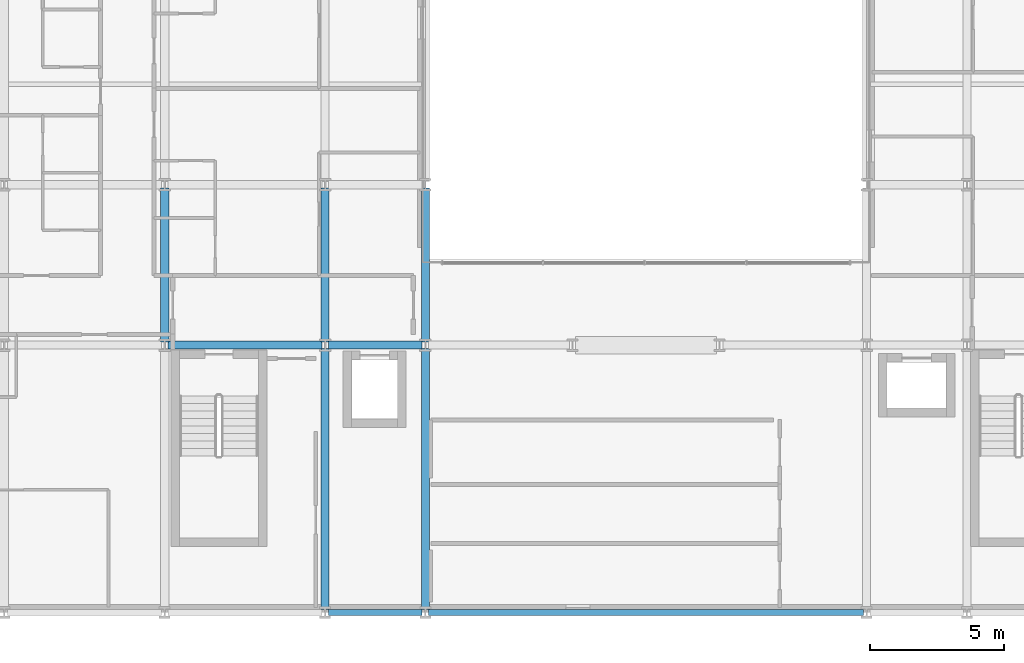
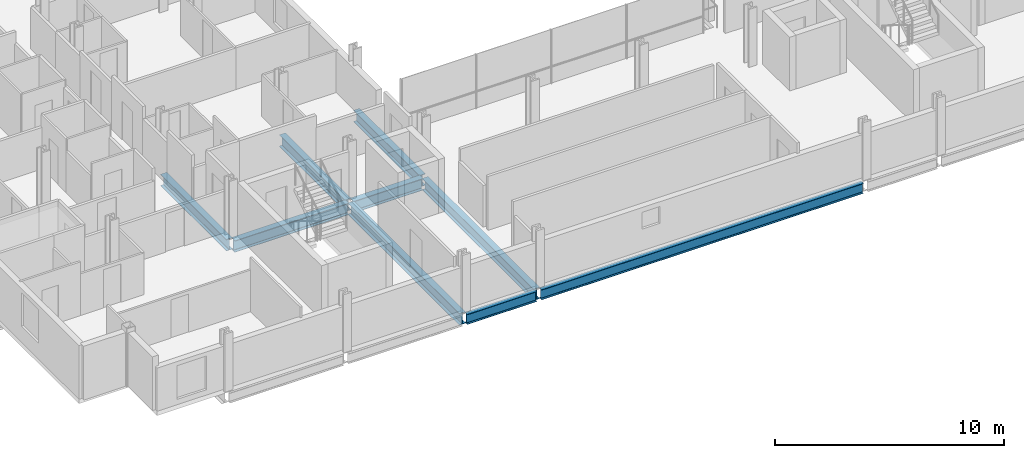
# One storey, part 3 of 39: 9 beams.
"""IFC4 building model written with IfcOpenShell, lengths in metres."""

import ifcopenshell
import ifcopenshell.guid

model = None  # the IFC model being written
_history = None  # IfcOwnerHistory: only IFC2X3 demands one
_inside = {}  # id of a spatial element -> (the spatial element, [elements in it])
_under = {}  # id of a project, library or spatial element -> (it, [spatial elements below it])
_declared = {}  # id of a project -> (the project, [libraries it declares])
_typed = {}  # id of a type object -> (the type object, [elements of that type])
_made_of = {}  # id of a material, layer set ... -> (it, [elements and type objects made of it])


def new_model(schema):
    """Start an empty IFC model of exactly this schema.

    Asked for "IFC4X3", IfcOpenShell would pick the latest addendum, in which some entities
    have other attributes; the version numbers below select the first issue.
    IFC2X3 requires an IfcOwnerHistory on every rooted entity: one is made here for all.
    """
    global model, _history
    if schema == "IFC4X3":
        model = ifcopenshell.file(schema_version=(4, 3, 0, 0))
    else:
        model = ifcopenshell.file(schema=schema)
    _inside.clear()
    _under.clear()
    _declared.clear()
    _typed.clear()
    _made_of.clear()
    _history = None
    if model.schema == "IFC2X3":
        org = make("IfcOrganization", Name="unknown")
        user = make(
            "IfcPersonAndOrganization",
            ThePerson=make("IfcPerson", FamilyName="unknown"),
            TheOrganization=org,
        )
        app = make(
            "IfcApplication",
            ApplicationDeveloper=org,
            Version="unknown",
            ApplicationFullName="unknown",
            ApplicationIdentifier="unknown",
        )
        _history = make(
            "IfcOwnerHistory",
            OwningUser=user,
            OwningApplication=app,
            ChangeAction="ADDED",
            CreationDate=0,
        )
    return model


def make(cls, **values):
    """One entity of the class cls with the attributes given. An attribute that is None is left unset."""
    return model.create_entity(
        cls, **{name: value for name, value in values.items() if value is not None}
    )


def rooted(cls, **values):
    """An entity with a GlobalId (a new one), such as an element, a storey or a relation."""
    return make(cls, GlobalId=ifcopenshell.guid.new(), OwnerHistory=_history, **values)


def si_unit(unit_type, name, prefix=None):
    """IfcSIUnit, for example si_unit("LENGTHUNIT", "METRE", prefix="MILLI")."""
    return make("IfcSIUnit", UnitType=unit_type, Prefix=prefix, Name=name)


def assignment(units):
    """IfcUnitAssignment: the units of a project."""
    return None if units is None else make("IfcUnitAssignment", Units=units)


def point(xyz):
    """IfcCartesianPoint."""
    return None if xyz is None else make("IfcCartesianPoint", Coordinates=xyz)


def direction(xyz):
    """IfcDirection."""
    return None if xyz is None else make("IfcDirection", DirectionRatios=xyz)


def frame(location, z_axis=None, x_axis=None):
    """IfcAxis2Placement3D, a coordinate frame: its origin and axes. An axis left out is left unset."""
    return make(
        "IfcAxis2Placement3D",
        Location=point(location),
        Axis=direction(z_axis),
        RefDirection=direction(x_axis),
    )


def frame_2d(location, x_axis=None):
    """IfcAxis2Placement2D, a coordinate frame in the plane: its origin and x axis."""
    return make(
        "IfcAxis2Placement2D", Location=point(location), RefDirection=direction(x_axis)
    )


def origin():
    """The frame at (0, 0, 0) with its axes left unset."""
    return frame((0.0, 0.0, 0.0))


def origin_2d():
    """The frame at (0, 0) in the plane with its x axis left unset."""
    return frame_2d((0.0, 0.0))


def place(relative_to, where):
    """IfcLocalPlacement: puts the frame where relative to a parent placement (None: the world)."""
    return make(
        "IfcLocalPlacement", PlacementRelTo=relative_to, RelativePlacement=where
    )


def context(
    kind, dimensions, precision=None, world=None, true_north=None, identifier=None
):
    """IfcGeometricRepresentationContext, for example the 3D "Model" context."""
    return make(
        "IfcGeometricRepresentationContext",
        ContextIdentifier=identifier,
        ContextType=kind,
        CoordinateSpaceDimension=dimensions,
        Precision=precision,
        WorldCoordinateSystem=world,
        TrueNorth=true_north,
    )


def subcontext(parent, identifier, kind, view, scale=None):
    """IfcGeometricRepresentationSubContext, for example "Body" below "Model"."""
    return make(
        "IfcGeometricRepresentationSubContext",
        ContextIdentifier=identifier,
        ContextType=kind,
        ParentContext=parent,
        TargetScale=scale,
        TargetView=view,
    )


def project(units=None, contexts=None):
    """IfcProject with its units and contexts."""
    return rooted(
        "IfcProject",
        Name="project",
        RepresentationContexts=contexts,
        UnitsInContext=assignment(units),
    )


def spatial(cls, under=None, at=None, **own):
    """A site, building, storey or space (cls), placed at a placement, below another one or the project."""
    s = rooted(cls, ObjectPlacement=at, **own)
    if under is not None:
        _under.setdefault(under.id(), (under, []))[1].append(s)
    return s


def profile(cls, at=None, kind="AREA", **sizes):
    """A parametric profile (cls). Its sizes go by their IFC names, for example OverallWidth=200.0."""
    return make(cls, ProfileType=kind, Position=at, **sizes)


def i_section(**sizes):
    """IfcIShapeProfileDef."""
    return profile("IfcIShapeProfileDef", **sizes)


def extrude(swept, where, along, depth):
    """IfcExtrudedAreaSolid: the profile swept, set in the frame where, extruded along a direction by depth."""
    return make(
        "IfcExtrudedAreaSolid",
        SweptArea=swept,
        Position=where,
        ExtrudedDirection=direction(along),
        Depth=depth,
    )


def shape(context_of_items, identifier, shape_type, items):
    """IfcShapeRepresentation: the items that make up one representation, for example the "Body"."""
    return make(
        "IfcShapeRepresentation",
        ContextOfItems=context_of_items,
        RepresentationIdentifier=identifier,
        RepresentationType=shape_type,
        Items=items,
    )


def material(Name=None, Category=None):
    """IfcMaterial."""
    return make("IfcMaterial", Name=Name, Category=Category)


def material_profile(
    of_material, cross_section, Name=None, Category=None, Priority=None
):
    """IfcMaterialProfile: a cross section and its material."""
    return make(
        "IfcMaterialProfile",
        Name=Name,
        Material=of_material,
        Profile=cross_section,
        Priority=Priority,
        Category=Category,
    )


def profile_set(profiles, Name=None, composite=None):
    """IfcMaterialProfileSet."""
    return make(
        "IfcMaterialProfileSet",
        Name=Name,
        MaterialProfiles=profiles,
        CompositeProfile=composite,
    )


def made_of(thing, what):
    """Note that an element or type object is made of a material, layer set ...; save() writes the relation."""
    if what is not None:
        _made_of.setdefault(what.id(), (what, []))[1].append(thing)
    return thing


def type_object(cls, material=None, **own):
    """A type object (cls), such as IfcWallType, which elements share."""
    return made_of(rooted(cls, **own), material)


def element(
    cls,
    number,
    at=None,
    inside=None,
    cuts=None,
    type_object=None,
    material=None,
    context=None,
    identifier="Body",
    shape_type=None,
    held_by="IfcProductDefinitionShape",
    body=None,
    shapes=None,
    **own,
):
    """One element of the class cls, such as IfcWall. Its Tag is "e" and its number.

    at: its placement. inside: the storey or other place that contains it. cuts: it is an
    opening in that element (IfcRelVoidsElement). A single representation is given by context,
    identifier, shape_type and body (its items); several are given by shapes. held_by: the class
    of the entity that holds the representations. save() writes the other relations.
    """
    e = rooted(cls, Tag="e%d" % number, ObjectPlacement=at, **own)
    if body is not None:
        shapes = [shape(context, identifier, shape_type, body)]
    if shapes is not None:
        e.Representation = make(held_by, Representations=shapes)
    if inside is not None:
        _inside.setdefault(inside.id(), (inside, []))[1].append(e)
    if cuts is not None:
        rooted(
            "IfcRelVoidsElement", RelatingBuildingElement=cuts, RelatedOpeningElement=e
        )
    if type_object is not None:
        _typed.setdefault(type_object.id(), (type_object, []))[1].append(e)
    return made_of(e, material)


def aggregate(whole, parts):
    """IfcRelAggregates: a whole, such as a stair, and the parts it consists of."""
    return rooted("IfcRelAggregates", RelatingObject=whole, RelatedObjects=parts)


def save(model, path):
    """Write the relations noted so far, then the file.

    IfcRelAggregates (storeys below a building ...), IfcRelContainedInSpatialStructure (elements
    in a storey), IfcRelDefinesByType, IfcRelAssociatesMaterial and IfcRelDeclares: one each for
    every whole, place, type object, material and project.
    """
    for whole, parts in _under.values():
        aggregate(whole, parts)
    for where, things in _inside.values():
        rooted(
            "IfcRelContainedInSpatialStructure",
            RelatedElements=things,
            RelatingStructure=where,
        )
    for kind, things in _typed.values():
        rooted("IfcRelDefinesByType", RelatedObjects=things, RelatingType=kind)
    for what, things in _made_of.values():
        rooted("IfcRelAssociatesMaterial", RelatedObjects=things, RelatingMaterial=what)
    for by, libraries in _declared.values():
        rooted("IfcRelDeclares", RelatingContext=by, RelatedDefinitions=libraries)
    model.write(path)


model = new_model("IFC4")

# Units and contexts
model_context = context("Model", 3, precision=1e-05, world=origin(), true_north=direction((0.0, 1.0)))
body_context = subcontext(model_context, "Body", "Model", "MODEL_VIEW")
ifc_project = project(units=[si_unit("LENGTHUNIT", "METRE"), si_unit("AREAUNIT", "SQUARE_METRE"), si_unit("VOLUMEUNIT", "CUBIC_METRE"), si_unit("PLANEANGLEUNIT", "RADIAN"), si_unit("MASSUNIT", "GRAM", prefix="KILO")], contexts=[model_context])

# Site, building, storey
site_placement = place(None, origin())
site = spatial("IfcSite", under=ifc_project, at=site_placement, CompositionType="ELEMENT")
building_placement = place(site_placement, origin())
building = spatial("IfcBuilding", under=site, at=building_placement, Name="Brevholm Reach", CompositionType="ELEMENT")
storey_placement = place(building_placement, frame((0.0, 0.0, 34.199951171875)))
storey = spatial("IfcBuildingStorey", under=building, at=storey_placement, Name="L08", CompositionType="ELEMENT", Elevation=34.199951171875)

# Beams
ifc_material_1 = material(Name="Structural Steel S355J2", Category="steel")
ifc_material_profile_1 = material_profile(ifc_material_1, i_section(OverallWidth=0.210693359375, OverallDepth=0.53955078125, WebThickness=0.01171875, FlangeThickness=0.018798828125, FilletRadius=0.0126953125, at=origin_2d()), Name="UKB 533x210x109")
ifc_profile_set_1 = profile_set([ifc_material_profile_1], Name="Structural Steel S355J2")
beam_type_1 = type_object("IfcBeamType", Name="BM-SP539", PredefinedType="SPANDREL", material=ifc_profile_set_1)
beam_1_placement = place(storey_placement, frame((18.1201171875, 0.0, -0.499755859375), z_axis=(1.0, 0.0, 0.0), x_axis=(0.0, 1.0, 0.0)))
element("IfcBeam", 1, at=beam_1_placement, inside=storey, type_object=beam_type_1, Name="L08 SP-01B Framing Beam", PredefinedType="SPANDREL", context=body_context, shape_type="SweptSolid", body=[
    extrude(i_section(OverallWidth=0.210693359375, OverallDepth=0.53955078125, WebThickness=0.01171875, FlangeThickness=0.018798828125, FilletRadius=0.0126953125, at=origin_2d()), origin(), (0.0, 0.0, 1.0), 3.509765625),
])
beam_2_placement = place(storey_placement, frame((21.8701171875, 0.0, -0.499755859375), z_axis=(1.0, 0.0, 0.0), x_axis=(0.0, 1.0, 0.0)))
element("IfcBeam", 2, at=beam_2_placement, inside=storey, type_object=beam_type_1, Name="L08 SP-01B Framing Beam", PredefinedType="SPANDREL", context=body_context, shape_type="SweptSolid", body=[
    extrude(i_section(OverallWidth=0.210693359375, OverallDepth=0.53955078125, WebThickness=0.01171875, FlangeThickness=0.018798828125, FilletRadius=0.0126953125, at=origin_2d()), origin(), (0.0, 0.0, 1.0), 16.259765625),
])
ifc_material_2 = material(Name="Structural Steel S355J2", Category="steel")
ifc_material_profile_2 = material_profile(ifc_material_2, i_section(OverallWidth=0.30712890625, OverallDepth=0.6201171875, WebThickness=0.01416015625, FlangeThickness=0.023681640625, FilletRadius=0.0166015625, at=origin_2d()), Name="UKB 610x305x179")
ifc_profile_set_2 = profile_set([ifc_material_profile_2], Name="Structural Steel S355J2")
beam_type_2 = type_object("IfcBeamType", Name="BM-UKB610H", PredefinedType="USERDEFINED", material=ifc_profile_set_2)
beam_3_placement = place(storey_placement, frame((12.1201171875, 10.0, -0.5400390625), z_axis=(1.0, 0.0, 0.0), x_axis=(0.0, 1.0, 0.0)))
element("IfcBeam", 3, at=beam_3_placement, inside=storey, type_object=beam_type_2, Name="L08 G-06 Framing Beam", ObjectType="GIRDER", PredefinedType="USERDEFINED", context=body_context, shape_type="SweptSolid", body=[
    extrude(i_section(OverallWidth=0.30712890625, OverallDepth=0.6201171875, WebThickness=0.01416015625, FlangeThickness=0.023681640625, FilletRadius=0.0166015625, at=origin_2d()), origin(), (0.0, 0.0, 1.0), 5.759765625),
])
beam_4_placement = place(storey_placement, frame((18.1201171875, 10.0, -0.5400390625), z_axis=(1.0, 0.0, 0.0), x_axis=(0.0, 1.0, 0.0)))
element("IfcBeam", 4, at=beam_4_placement, inside=storey, type_object=beam_type_2, Name="L08 G-06 Framing Beam", ObjectType="GIRDER", PredefinedType="USERDEFINED", context=body_context, shape_type="SweptSolid", body=[
    extrude(i_section(OverallWidth=0.30712890625, OverallDepth=0.6201171875, WebThickness=0.01416015625, FlangeThickness=0.023681640625, FilletRadius=0.0166015625, at=origin_2d()), origin(), (0.0, 0.0, 1.0), 3.509765625),
])
beam_5_placement = place(storey_placement, frame((12.0, 10.1201171875, -0.5400390625), z_axis=(0.0, 1.0, 0.0), x_axis=(-1.0, 0.0, 0.0)))
element("IfcBeam", 5, at=beam_5_placement, inside=storey, type_object=beam_type_2, Name="L08 G-06 Framing Beam", ObjectType="GIRDER", PredefinedType="USERDEFINED", context=body_context, shape_type="SweptSolid", body=[
    extrude(i_section(OverallWidth=0.30712890625, OverallDepth=0.6201171875, WebThickness=0.01416015625, FlangeThickness=0.023681640625, FilletRadius=0.0166015625, at=origin_2d()), origin(), (0.0, 0.0, 1.0), 5.759765625),
])
beam_6_placement = place(storey_placement, frame((18.0, 0.1201171875, -0.5400390625), z_axis=(0.0, 1.0, 0.0), x_axis=(-1.0, 0.0, 0.0)))
element("IfcBeam", 6, at=beam_6_placement, inside=storey, type_object=beam_type_2, Name="L08 G-06 Framing Beam", ObjectType="GIRDER", PredefinedType="USERDEFINED", context=body_context, shape_type="SweptSolid", body=[
    extrude(i_section(OverallWidth=0.30712890625, OverallDepth=0.6201171875, WebThickness=0.01416015625, FlangeThickness=0.023681640625, FilletRadius=0.0166015625, at=origin_2d()), origin(), (0.0, 0.0, 1.0), 9.759765625),
])
beam_7_placement = place(storey_placement, frame((18.0, 10.1201171875, -0.5400390625), z_axis=(0.0, 1.0, 0.0), x_axis=(-1.0, 0.0, 0.0)))
element("IfcBeam", 7, at=beam_7_placement, inside=storey, type_object=beam_type_2, Name="L08 G-06 Framing Beam", ObjectType="GIRDER", PredefinedType="USERDEFINED", context=body_context, shape_type="SweptSolid", body=[
    extrude(i_section(OverallWidth=0.30712890625, OverallDepth=0.6201171875, WebThickness=0.01416015625, FlangeThickness=0.023681640625, FilletRadius=0.0166015625, at=origin_2d()), origin(), (0.0, 0.0, 1.0), 5.759765625),
])
beam_8_placement = place(storey_placement, frame((21.75, 0.1201171875, -0.5400390625), z_axis=(0.0, 1.0, 0.0), x_axis=(-1.0, 0.0, 0.0)))
element("IfcBeam", 8, at=beam_8_placement, inside=storey, type_object=beam_type_2, Name="L08 G-06 Framing Beam", ObjectType="GIRDER", PredefinedType="USERDEFINED", context=body_context, shape_type="SweptSolid", body=[
    extrude(i_section(OverallWidth=0.30712890625, OverallDepth=0.6201171875, WebThickness=0.01416015625, FlangeThickness=0.023681640625, FilletRadius=0.0166015625, at=origin_2d()), origin(), (0.0, 0.0, 1.0), 9.759765625),
])
beam_9_placement = place(storey_placement, frame((21.75, 10.1201171875, -0.5400390625), z_axis=(0.0, 1.0, 0.0), x_axis=(-1.0, 0.0, 0.0)))
element("IfcBeam", 9, at=beam_9_placement, inside=storey, type_object=beam_type_2, Name="L08 G-06 Framing Beam", ObjectType="GIRDER", PredefinedType="USERDEFINED", context=body_context, shape_type="SweptSolid", body=[
    extrude(i_section(OverallWidth=0.30712890625, OverallDepth=0.6201171875, WebThickness=0.01416015625, FlangeThickness=0.023681640625, FilletRadius=0.0166015625, at=origin_2d()), origin(), (0.0, 0.0, 1.0), 5.759765625),
])

save(model, "model.ifc")
